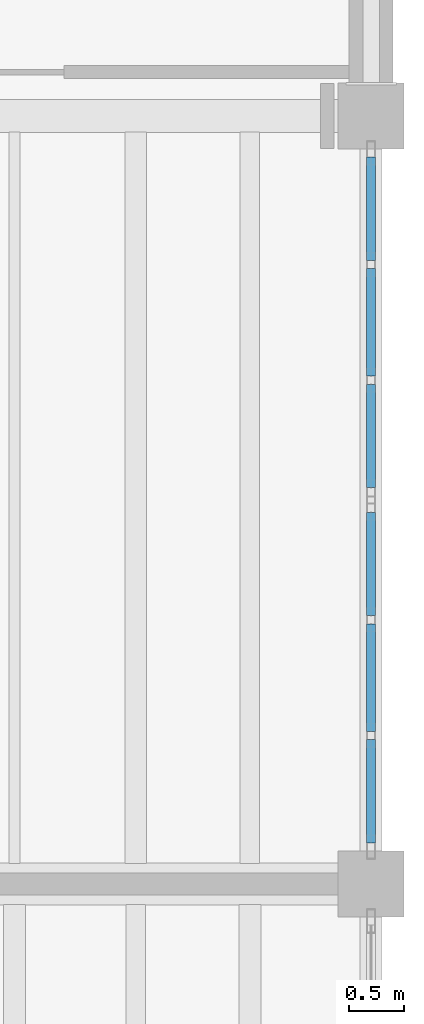
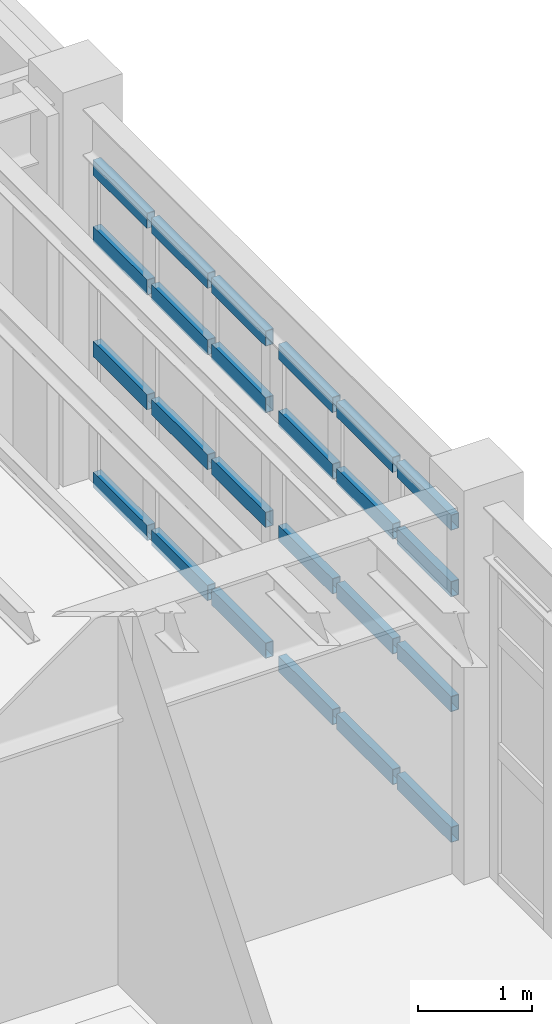
# One storey, part 47 of 78: 24 members, 2 elements without a shape of their own.
"""IFC4 building model written with IfcOpenShell, lengths in metres."""

from ifc_helpers import new_model, si_unit, direction, frame, origin, origin_2d, place, context, subcontext, project, spatial, hollow_rectangle, extrude, material, material_profile, profile_set, type_object, element, aggregate, save


model = new_model("IFC4")

# Units and contexts
model_context = context("Model", 3, precision=1e-05, world=origin(), true_north=direction((0.0, 1.0)))
body_context = subcontext(model_context, "Body", "Model", "MODEL_VIEW")
ifc_project = project(units=[si_unit("LENGTHUNIT", "METRE"), si_unit("AREAUNIT", "SQUARE_METRE"), si_unit("VOLUMEUNIT", "CUBIC_METRE"), si_unit("PLANEANGLEUNIT", "RADIAN"), si_unit("MASSUNIT", "GRAM", prefix="KILO"), si_unit("THERMODYNAMICTEMPERATUREUNIT", "KELVIN"), si_unit("POWERUNIT", "WATT")], contexts=[model_context])

# Site, building, storey
site_placement = place(None, origin())
site = spatial("IfcSite", under=ifc_project, at=site_placement, CompositionType="ELEMENT")
building_placement = place(site_placement, origin())
building = spatial("IfcBuilding", under=site, at=building_placement, Name="Zhenchuan Central Fire Station", CompositionType="ELEMENT")
storey_placement = place(building_placement, frame((0.0, 0.0, 5.85009765625)))
storey = spatial("IfcBuildingStorey", under=building, at=storey_placement, Name="L02", CompositionType="ELEMENT", Elevation=5.85009765625)

# Curtain wall, members
ifc_material_1 = material(Name="Anodised aluminium and low-E glazing", Category="aluminium")
curtain_wall_type_1 = type_object("IfcCurtainWallType", Name="CW-MOD-12", PredefinedType="USERDEFINED", material=ifc_material_1)
curtain_wall_1_placement = place(storey_placement, origin())
curtain_wall_1 = element("IfcCurtainWall", 1, at=curtain_wall_1_placement, inside=storey, type_object=curtain_wall_type_1, Name="L02 Unitised Curtain Wall 142", ObjectType="UNITISED GLAZING", PredefinedType="USERDEFINED")
ifc_material_2 = material(Name="Anodised aluminium EN AW-6063", Category="aluminium")
ifc_material_profile = material_profile(ifc_material_2, hollow_rectangle(XDim=0.080078125, YDim=0.1650390625, WallThickness=0.0048828125, at=origin_2d()), Name="ALU-T 165x80")
ifc_profile_set = profile_set([ifc_material_profile], Name="Anodised aluminium EN AW-6063")
member_type = type_object("IfcMemberType", Name="CW-TRN150", PredefinedType="NOTDEFINED", material=ifc_profile_set)
member_1_placement = place(storey_placement, frame((161.0, 42.875, 0.033447265625), z_axis=(0.0, 1.0, 0.0), x_axis=(-1.0, 0.0, 0.0)))
member_1 = element("IfcMember", 2, at=member_1_placement, type_object=member_type, Name="CW-12 transom 1.1", ObjectType="TRANSOM", PredefinedType="USERDEFINED", context=body_context, shape_type="SweptSolid", body=[
    extrude(hollow_rectangle(XDim=0.080078125, YDim=0.1650390625, WallThickness=0.0048828125, at=origin_2d()), origin(), (0.0, 0.0, 1.0), 0.94140625),
])
member_2_placement = place(storey_placement, frame((161.0, 42.875, 1.427978515625), z_axis=(0.0, 1.0, 0.0), x_axis=(-1.0, 0.0, 0.0)))
member_2 = element("IfcMember", 3, at=member_2_placement, type_object=member_type, Name="CW-12 transom 1.2", ObjectType="TRANSOM", PredefinedType="USERDEFINED", context=body_context, shape_type="SweptSolid", body=[
    extrude(hollow_rectangle(XDim=0.080078125, YDim=0.1650390625, WallThickness=0.0048828125, at=origin_2d()), origin(), (0.0, 0.0, 1.0), 0.94140625),
])
member_3_placement = place(storey_placement, frame((161.0, 42.875, 2.65185546875), z_axis=(0.0, 1.0, 0.0), x_axis=(-1.0, 0.0, 0.0)))
member_3 = element("IfcMember", 4, at=member_3_placement, type_object=member_type, Name="CW-12 transom 1.3", ObjectType="TRANSOM", PredefinedType="USERDEFINED", context=body_context, shape_type="SweptSolid", body=[
    extrude(hollow_rectangle(XDim=0.080078125, YDim=0.1650390625, WallThickness=0.0048828125, at=origin_2d()), origin(), (0.0, 0.0, 1.0), 0.94140625),
])
member_4_placement = place(storey_placement, frame((161.0, 42.875, 3.3623046875), z_axis=(0.0, 1.0, 0.0), x_axis=(-1.0, 0.0, 0.0)))
member_4 = element("IfcMember", 5, at=member_4_placement, type_object=member_type, Name="CW-12 transom 1.4", ObjectType="TRANSOM", PredefinedType="USERDEFINED", context=body_context, shape_type="SweptSolid", body=[
    extrude(hollow_rectangle(XDim=0.080078125, YDim=0.1650390625, WallThickness=0.0048828125, at=origin_2d()), origin(), (0.0, 0.0, 1.0), 0.94140625),
])
member_5_placement = place(storey_placement, frame((161.0, 43.8916015625, 0.033447265625), z_axis=(0.0, 1.0, 0.0), x_axis=(-1.0, 0.0, 0.0)))
member_5 = element("IfcMember", 6, at=member_5_placement, type_object=member_type, Name="CW-12 transom 2.1", ObjectType="TRANSOM", PredefinedType="USERDEFINED", context=body_context, shape_type="SweptSolid", body=[
    extrude(hollow_rectangle(XDim=0.080078125, YDim=0.1650390625, WallThickness=0.0048828125, at=origin_2d()), origin(), (0.0, 0.0, 1.0), 0.97900390625),
])
member_6_placement = place(storey_placement, frame((161.0, 43.8916015625, 1.427978515625), z_axis=(0.0, 1.0, 0.0), x_axis=(-1.0, 0.0, 0.0)))
member_6 = element("IfcMember", 7, at=member_6_placement, type_object=member_type, Name="CW-12 transom 2.2", ObjectType="TRANSOM", PredefinedType="USERDEFINED", context=body_context, shape_type="SweptSolid", body=[
    extrude(hollow_rectangle(XDim=0.080078125, YDim=0.1650390625, WallThickness=0.0048828125, at=origin_2d()), origin(), (0.0, 0.0, 1.0), 0.97900390625),
])
member_7_placement = place(storey_placement, frame((161.0, 43.8916015625, 2.65185546875), z_axis=(0.0, 1.0, 0.0), x_axis=(-1.0, 0.0, 0.0)))
member_7 = element("IfcMember", 8, at=member_7_placement, type_object=member_type, Name="CW-12 transom 2.3", ObjectType="TRANSOM", PredefinedType="USERDEFINED", context=body_context, shape_type="SweptSolid", body=[
    extrude(hollow_rectangle(XDim=0.080078125, YDim=0.1650390625, WallThickness=0.0048828125, at=origin_2d()), origin(), (0.0, 0.0, 1.0), 0.97900390625),
])
member_8_placement = place(storey_placement, frame((161.0, 43.8916015625, 3.3623046875), z_axis=(0.0, 1.0, 0.0), x_axis=(-1.0, 0.0, 0.0)))
member_8 = element("IfcMember", 9, at=member_8_placement, type_object=member_type, Name="CW-12 transom 2.4", ObjectType="TRANSOM", PredefinedType="USERDEFINED", context=body_context, shape_type="SweptSolid", body=[
    extrude(hollow_rectangle(XDim=0.080078125, YDim=0.1650390625, WallThickness=0.0048828125, at=origin_2d()), origin(), (0.0, 0.0, 1.0), 0.97900390625),
])
member_9_placement = place(storey_placement, frame((161.0, 44.945556640625, 0.033447265625), z_axis=(0.0, 1.0, 0.0), x_axis=(-1.0, 0.0, 0.0)))
member_9 = element("IfcMember", 10, at=member_9_placement, type_object=member_type, Name="CW-12 transom 3.1", ObjectType="TRANSOM", PredefinedType="USERDEFINED", context=body_context, shape_type="SweptSolid", body=[
    extrude(hollow_rectangle(XDim=0.080078125, YDim=0.1650390625, WallThickness=0.0048828125, at=origin_2d()), origin(), (0.0, 0.0, 1.0), 0.94140625),
])
member_10_placement = place(storey_placement, frame((161.0, 44.945556640625, 1.427978515625), z_axis=(0.0, 1.0, 0.0), x_axis=(-1.0, 0.0, 0.0)))
member_10 = element("IfcMember", 11, at=member_10_placement, type_object=member_type, Name="CW-12 transom 3.2", ObjectType="TRANSOM", PredefinedType="USERDEFINED", context=body_context, shape_type="SweptSolid", body=[
    extrude(hollow_rectangle(XDim=0.080078125, YDim=0.1650390625, WallThickness=0.0048828125, at=origin_2d()), origin(), (0.0, 0.0, 1.0), 0.94140625),
])
member_11_placement = place(storey_placement, frame((161.0, 44.945556640625, 2.65185546875), z_axis=(0.0, 1.0, 0.0), x_axis=(-1.0, 0.0, 0.0)))
member_11 = element("IfcMember", 12, at=member_11_placement, type_object=member_type, Name="CW-12 transom 3.3", ObjectType="TRANSOM", PredefinedType="USERDEFINED", context=body_context, shape_type="SweptSolid", body=[
    extrude(hollow_rectangle(XDim=0.080078125, YDim=0.1650390625, WallThickness=0.0048828125, at=origin_2d()), origin(), (0.0, 0.0, 1.0), 0.94140625),
])
member_12_placement = place(storey_placement, frame((161.0, 44.945556640625, 3.3623046875), z_axis=(0.0, 1.0, 0.0), x_axis=(-1.0, 0.0, 0.0)))
member_12 = element("IfcMember", 13, at=member_12_placement, type_object=member_type, Name="CW-12 transom 3.4", ObjectType="TRANSOM", PredefinedType="USERDEFINED", context=body_context, shape_type="SweptSolid", body=[
    extrude(hollow_rectangle(XDim=0.080078125, YDim=0.1650390625, WallThickness=0.0048828125, at=origin_2d()), origin(), (0.0, 0.0, 1.0), 0.94140625),
])
aggregate(curtain_wall_1, [member_1, member_2, member_3, member_4, member_5, member_6, member_7, member_8, member_9, member_10, member_11, member_12])

curtain_wall_type_2 = type_object("IfcCurtainWallType", Name="CW-MOD-13", PredefinedType="USERDEFINED", material=ifc_material_1)
curtain_wall_2_placement = place(storey_placement, origin())
curtain_wall_2 = element("IfcCurtainWall", 14, at=curtain_wall_2_placement, inside=storey, type_object=curtain_wall_type_2, Name="L02 Unitised Curtain Wall 143", ObjectType="UNITISED GLAZING", PredefinedType="USERDEFINED")
member_13_placement = place(storey_placement, frame((161.0, 46.113037109375, 0.033447265625), z_axis=(0.0, 1.0, 0.0), x_axis=(-1.0, 0.0, 0.0)))
member_13 = element("IfcMember", 15, at=member_13_placement, type_object=member_type, Name="CW-13 transom 1.1", ObjectType="TRANSOM", PredefinedType="USERDEFINED", context=body_context, shape_type="SweptSolid", body=[
    extrude(hollow_rectangle(XDim=0.080078125, YDim=0.1650390625, WallThickness=0.0048828125, at=origin_2d()), origin(), (0.0, 0.0, 1.0), 0.94140625),
])
member_14_placement = place(storey_placement, frame((161.0, 46.113037109375, 1.427978515625), z_axis=(0.0, 1.0, 0.0), x_axis=(-1.0, 0.0, 0.0)))
member_14 = element("IfcMember", 16, at=member_14_placement, type_object=member_type, Name="CW-13 transom 1.2", ObjectType="TRANSOM", PredefinedType="USERDEFINED", context=body_context, shape_type="SweptSolid", body=[
    extrude(hollow_rectangle(XDim=0.080078125, YDim=0.1650390625, WallThickness=0.0048828125, at=origin_2d()), origin(), (0.0, 0.0, 1.0), 0.94140625),
])
member_15_placement = place(storey_placement, frame((161.0, 46.113037109375, 2.65185546875), z_axis=(0.0, 1.0, 0.0), x_axis=(-1.0, 0.0, 0.0)))
member_15 = element("IfcMember", 17, at=member_15_placement, type_object=member_type, Name="CW-13 transom 1.3", ObjectType="TRANSOM", PredefinedType="USERDEFINED", context=body_context, shape_type="SweptSolid", body=[
    extrude(hollow_rectangle(XDim=0.080078125, YDim=0.1650390625, WallThickness=0.0048828125, at=origin_2d()), origin(), (0.0, 0.0, 1.0), 0.94140625),
])
member_16_placement = place(storey_placement, frame((161.0, 46.113037109375, 3.3623046875), z_axis=(0.0, 1.0, 0.0), x_axis=(-1.0, 0.0, 0.0)))
member_16 = element("IfcMember", 18, at=member_16_placement, type_object=member_type, Name="CW-13 transom 1.4", ObjectType="TRANSOM", PredefinedType="USERDEFINED", context=body_context, shape_type="SweptSolid", body=[
    extrude(hollow_rectangle(XDim=0.080078125, YDim=0.1650390625, WallThickness=0.0048828125, at=origin_2d()), origin(), (0.0, 0.0, 1.0), 0.94140625),
])
member_17_placement = place(storey_placement, frame((161.0, 47.12939453125, 0.033447265625), z_axis=(0.0, 1.0, 0.0), x_axis=(-1.0, 0.0, 0.0)))
member_17 = element("IfcMember", 19, at=member_17_placement, type_object=member_type, Name="CW-13 transom 2.1", ObjectType="TRANSOM", PredefinedType="USERDEFINED", context=body_context, shape_type="SweptSolid", body=[
    extrude(hollow_rectangle(XDim=0.080078125, YDim=0.1650390625, WallThickness=0.0048828125, at=origin_2d()), origin(), (0.0, 0.0, 1.0), 0.97900390625),
])
member_18_placement = place(storey_placement, frame((161.0, 47.12939453125, 1.427978515625), z_axis=(0.0, 1.0, 0.0), x_axis=(-1.0, 0.0, 0.0)))
member_18 = element("IfcMember", 20, at=member_18_placement, type_object=member_type, Name="CW-13 transom 2.2", ObjectType="TRANSOM", PredefinedType="USERDEFINED", context=body_context, shape_type="SweptSolid", body=[
    extrude(hollow_rectangle(XDim=0.080078125, YDim=0.1650390625, WallThickness=0.0048828125, at=origin_2d()), origin(), (0.0, 0.0, 1.0), 0.97900390625),
])
member_19_placement = place(storey_placement, frame((161.0, 47.12939453125, 2.65185546875), z_axis=(0.0, 1.0, 0.0), x_axis=(-1.0, 0.0, 0.0)))
member_19 = element("IfcMember", 21, at=member_19_placement, type_object=member_type, Name="CW-13 transom 2.3", ObjectType="TRANSOM", PredefinedType="USERDEFINED", context=body_context, shape_type="SweptSolid", body=[
    extrude(hollow_rectangle(XDim=0.080078125, YDim=0.1650390625, WallThickness=0.0048828125, at=origin_2d()), origin(), (0.0, 0.0, 1.0), 0.97900390625),
])
member_20_placement = place(storey_placement, frame((161.0, 47.12939453125, 3.3623046875), z_axis=(0.0, 1.0, 0.0), x_axis=(-1.0, 0.0, 0.0)))
member_20 = element("IfcMember", 22, at=member_20_placement, type_object=member_type, Name="CW-13 transom 2.4", ObjectType="TRANSOM", PredefinedType="USERDEFINED", context=body_context, shape_type="SweptSolid", body=[
    extrude(hollow_rectangle(XDim=0.080078125, YDim=0.1650390625, WallThickness=0.0048828125, at=origin_2d()), origin(), (0.0, 0.0, 1.0), 0.97900390625),
])
member_21_placement = place(storey_placement, frame((161.0, 48.18359375, 0.033447265625), z_axis=(0.0, 1.0, 0.0), x_axis=(-1.0, 0.0, 0.0)))
member_21 = element("IfcMember", 23, at=member_21_placement, type_object=member_type, Name="CW-13 transom 3.1", ObjectType="TRANSOM", PredefinedType="USERDEFINED", context=body_context, shape_type="SweptSolid", body=[
    extrude(hollow_rectangle(XDim=0.080078125, YDim=0.1650390625, WallThickness=0.0048828125, at=origin_2d()), origin(), (0.0, 0.0, 1.0), 0.94140625),
])
member_22_placement = place(storey_placement, frame((161.0, 48.18359375, 1.427978515625), z_axis=(0.0, 1.0, 0.0), x_axis=(-1.0, 0.0, 0.0)))
member_22 = element("IfcMember", 24, at=member_22_placement, type_object=member_type, Name="CW-13 transom 3.2", ObjectType="TRANSOM", PredefinedType="USERDEFINED", context=body_context, shape_type="SweptSolid", body=[
    extrude(hollow_rectangle(XDim=0.080078125, YDim=0.1650390625, WallThickness=0.0048828125, at=origin_2d()), origin(), (0.0, 0.0, 1.0), 0.94140625),
])
member_23_placement = place(storey_placement, frame((161.0, 48.18359375, 2.65185546875), z_axis=(0.0, 1.0, 0.0), x_axis=(-1.0, 0.0, 0.0)))
member_23 = element("IfcMember", 25, at=member_23_placement, type_object=member_type, Name="CW-13 transom 3.3", ObjectType="TRANSOM", PredefinedType="USERDEFINED", context=body_context, shape_type="SweptSolid", body=[
    extrude(hollow_rectangle(XDim=0.080078125, YDim=0.1650390625, WallThickness=0.0048828125, at=origin_2d()), origin(), (0.0, 0.0, 1.0), 0.94140625),
])
member_24_placement = place(storey_placement, frame((161.0, 48.18359375, 3.3623046875), z_axis=(0.0, 1.0, 0.0), x_axis=(-1.0, 0.0, 0.0)))
member_24 = element("IfcMember", 26, at=member_24_placement, type_object=member_type, Name="CW-13 transom 3.4", ObjectType="TRANSOM", PredefinedType="USERDEFINED", context=body_context, shape_type="SweptSolid", body=[
    extrude(hollow_rectangle(XDim=0.080078125, YDim=0.1650390625, WallThickness=0.0048828125, at=origin_2d()), origin(), (0.0, 0.0, 1.0), 0.94140625),
])
aggregate(curtain_wall_2, [member_13, member_14, member_15, member_16, member_17, member_18, member_19, member_20, member_21, member_22, member_23, member_24])

save(model, "model.ifc")
